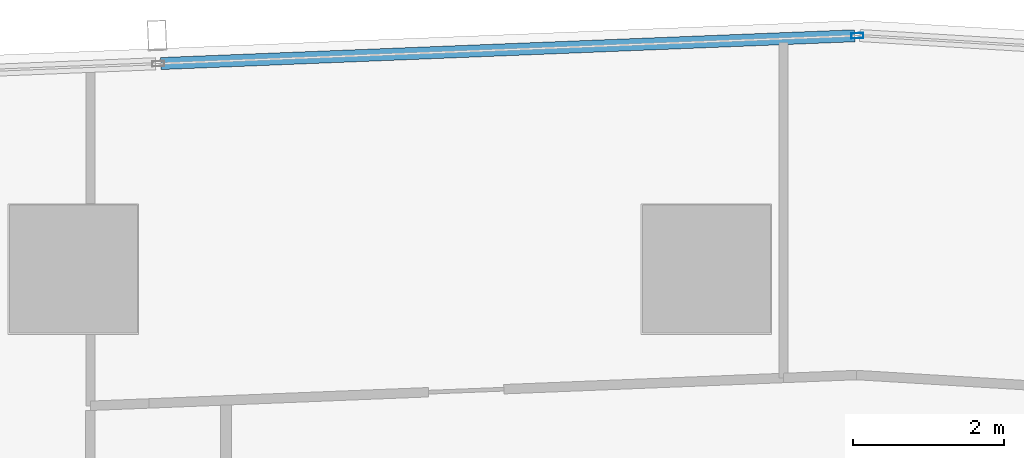
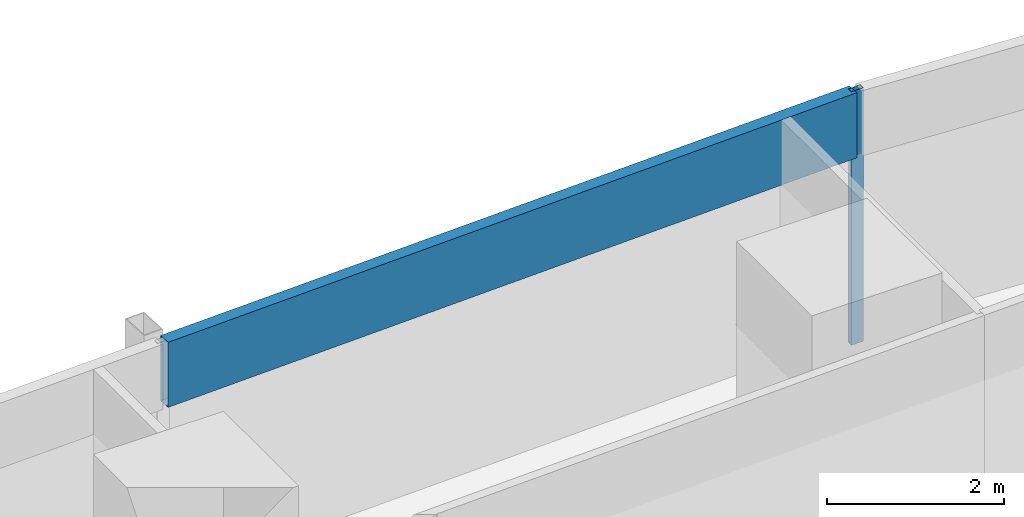
# One storey, part 21 of 40: 2 members, 1 element without a shape of its own.
"""IFC4 building model written with IfcOpenShell, lengths in metres."""

from ifc_helpers import new_model, si_unit, direction, frame, origin, origin_2d, place, context, subcontext, project, spatial, hollow_rectangle, extrude, material, material_profile, profile_set, type_object, element, aggregate, save


model = new_model("IFC4")

# Units and contexts
model_context = context("Model", 3, precision=1e-05, world=origin(), true_north=direction((0.0, 1.0)))
body_context = subcontext(model_context, "Body", "Model", "MODEL_VIEW")
ifc_project = project(units=[si_unit("LENGTHUNIT", "METRE"), si_unit("AREAUNIT", "SQUARE_METRE"), si_unit("VOLUMEUNIT", "CUBIC_METRE"), si_unit("PLANEANGLEUNIT", "RADIAN"), si_unit("MASSUNIT", "GRAM", prefix="KILO")], contexts=[model_context])

# Site, building, storey
site_placement = place(None, origin())
site = spatial("IfcSite", under=ifc_project, at=site_placement, CompositionType="ELEMENT")
building_placement = place(site_placement, origin())
building = spatial("IfcBuilding", under=site, at=building_placement, Name="Rekha Terrace Tower", CompositionType="ELEMENT")
storey_placement = place(building_placement, frame((0.0, 0.0, 106.550048828125)))
storey = spatial("IfcBuildingStorey", under=building, at=storey_placement, Name="L26", CompositionType="ELEMENT", Elevation=106.550048828125)

# Curtain wall, members
ifc_material_1 = material(Name="Aluminium framing", Category="aluminium")
curtain_wall_type = type_object("IfcCurtainWallType", Name="CW3 north unitised glazing", PredefinedType="USERDEFINED", material=ifc_material_1)
curtain_wall_placement = place(storey_placement, origin())
curtain_wall = element("IfcCurtainWall", 1, at=curtain_wall_placement, inside=storey, type_object=curtain_wall_type, Name="CW3 unitised curtain wall", ObjectType="UNITISED CURTAIN WALL", PredefinedType="USERDEFINED")
ifc_material_2 = material(Name="Aluminium mullion section", Category="aluminium")
ifc_material_profile_1 = material_profile(ifc_material_2, hollow_rectangle(XDim=0.070068359375, YDim=0.159912109375, WallThickness=0.00390625, at=origin_2d()), Name="AL RHS 70x160")
ifc_profile_set_1 = profile_set([ifc_material_profile_1], Name="Aluminium mullion section")
member_type_1 = type_object("IfcMemberType", Name="CW3 mullion RHS 70 x 160", PredefinedType="MULLION", material=ifc_profile_set_1)
member_1_placement = place(storey_placement, frame((44.0029296875, 61.8984375, 0.0), z_axis=(0.0, 0.0, 1.0), x_axis=(0.040031987119, -0.999198398721, 0.0)))
member_1 = element("IfcMember", 2, at=member_1_placement, type_object=member_type_1, Name="CW3 mullion 1", PredefinedType="MULLION", context=body_context, shape_type="SweptSolid", body=[
    extrude(hollow_rectangle(XDim=0.070068359375, YDim=0.159912109375, WallThickness=0.00390625, at=origin_2d()), origin(), (0.0, 0.0, 1.0), 3.5),
])
ifc_material_3 = material(Name="Insulated aluminium spandrel box", Category="aluminium")
ifc_material_profile_2 = material_profile(ifc_material_3, hollow_rectangle(XDim=0.159912109375, YDim=0.89990234375, WallThickness=0.0029296875, at=origin_2d()), Name="AL SPANDREL BOX 160x900")
ifc_profile_set_2 = profile_set([ifc_material_profile_2], Name="Insulated aluminium spandrel box")
member_type_2 = type_object("IfcMemberType", Name="CW3 spandrel transom 160 x 900", PredefinedType="USERDEFINED", material=ifc_profile_set_2)
member_2_placement = place(storey_placement, frame((43.968017578125, 61.89697265625, 3.050048828125), z_axis=(-0.999198290018, -0.04003470026, 0.0), x_axis=(0.04003470026, -0.999198290018, 0.0)))
member_2 = element("IfcMember", 3, at=member_2_placement, type_object=member_type_2, Name="CW3 spandrel transom 1", ObjectType="TRANSOM", PredefinedType="USERDEFINED", context=body_context, shape_type="SweptSolid", body=[
    extrude(hollow_rectangle(XDim=0.159912109375, YDim=0.89990234375, WallThickness=0.0029296875, at=origin_2d()), origin(), (0.0, 0.0, 1.0), 9.21435546875),
])
aggregate(curtain_wall, [member_1, member_2])

save(model, "model.ifc")
